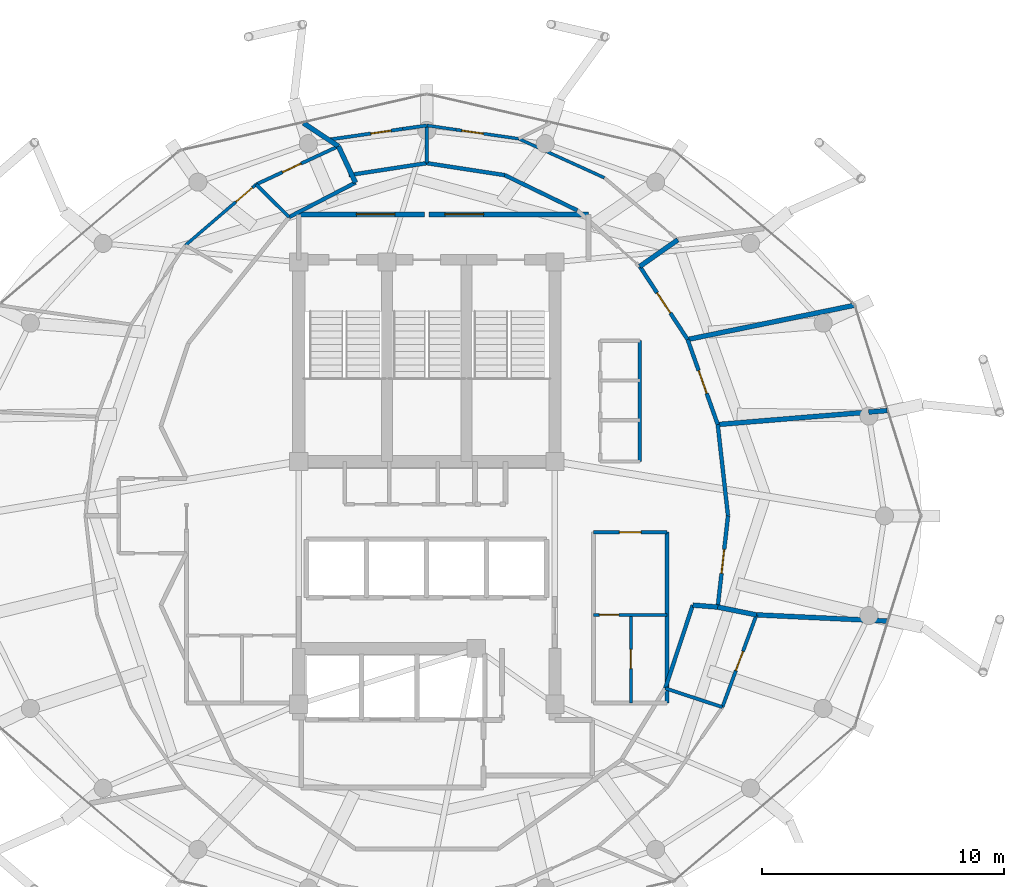
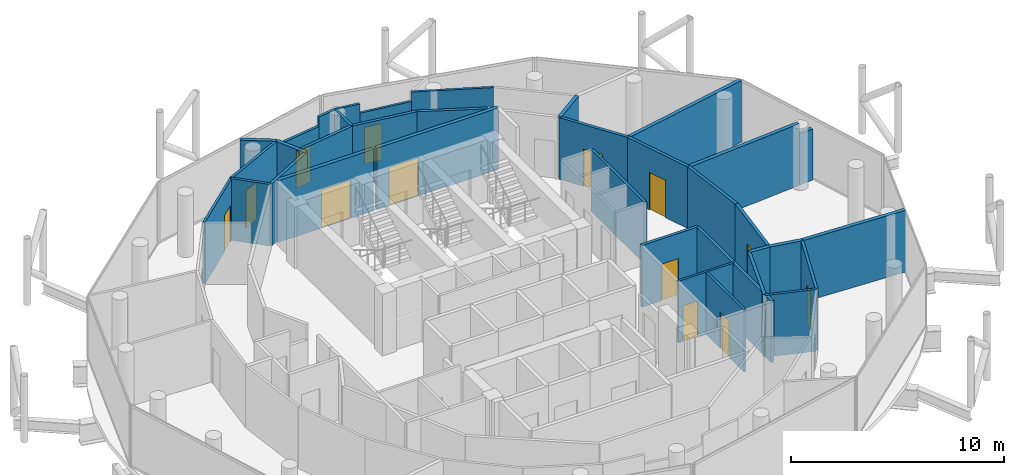
# One storey, part 23 of 25: 36 walls, 13 doors, 13 openings.
"""IFC4 building model written with IfcOpenShell, lengths in metres."""

from ifc_helpers import new_model, si_unit, direction, frame, frame_2d, origin, place, context, subcontext, project, spatial, rectangle, extrude, material, layer, layer_set, type_object, element, fill, save


model = new_model("IFC4")

# Units and contexts
model_context = context("Model", 3, precision=1e-05, world=origin(), true_north=direction((0.0, 1.0)))
body_context = subcontext(model_context, "Body", "Model", "MODEL_VIEW")
ifc_project = project(units=[si_unit("LENGTHUNIT", "METRE"), si_unit("AREAUNIT", "SQUARE_METRE"), si_unit("VOLUMEUNIT", "CUBIC_METRE"), si_unit("PLANEANGLEUNIT", "RADIAN"), si_unit("MASSUNIT", "GRAM", prefix="KILO")], contexts=[model_context])

# Site, building, storey
site_placement = place(None, origin())
site = spatial("IfcSite", under=ifc_project, at=site_placement, CompositionType="ELEMENT")
building_placement = place(site_placement, origin())
building = spatial("IfcBuilding", under=site, at=building_placement, Name="Nuhasar Tower", CompositionType="ELEMENT")
storey_placement = place(building_placement, frame((0.0, 0.0, 255.60009765625)))
storey = spatial("IfcBuildingStorey", under=building, at=storey_placement, Name="L63", CompositionType="ELEMENT", Elevation=255.60009765625)

# Wall
ifc_material_1 = material(Name="Gypsum Board", Category="gypsum")
ifc_layer_1 = layer(ifc_material_1, 0.159912109375)
ifc_layer_set_1 = layer_set([ifc_layer_1], Name="Gypsum Board")
wall_type_1 = type_object("IfcWallType", Name="WL-CORR-160", PredefinedType="PARTITIONING", material=ifc_layer_set_1)
wall_1_placement = place(storey_placement, frame((48.949951171875, 19.050048828125, 0.0), z_axis=(0.0, 0.0, 1.0), x_axis=(0.0, 1.0, 0.0)))
element("IfcWall", 1, at=wall_1_placement, inside=storey, type_object=wall_type_1, Name="L63 Interior Partition RECL-B2-E", PredefinedType="PARTITIONING", context=body_context, shape_type="SweptSolid", body=[
    extrude(rectangle(XDim=7.070068359375, YDim=0.159912109375, at=frame_2d((3.53515625, 0.0))), origin(), (0.0, 0.0, 1.0), 3.539794921875),
])

# Wall, opening, door
wall_2_placement = place(storey_placement, frame((48.949951171875, 26.1201171875, 0.0), z_axis=(0.0, 0.0, 1.0), x_axis=(-1.0, 0.0, 0.0)))
wall_2 = element("IfcWall", 2, at=wall_2_placement, inside=storey, type_object=wall_type_1, Name="L63 Interior Partition RECL-B2-N", PredefinedType="PARTITIONING", context=body_context, shape_type="SweptSolid", body=[
    extrude(rectangle(XDim=3.050048828125, YDim=0.159912109375, at=frame_2d((1.52490234375, 0.0))), origin(), (0.0, 0.0, 1.0), 3.539794921875),
])
opening_1_placement = place(wall_2_placement, frame((1.074951171875, 0.0, 0.0)))
opening_1 = element("IfcOpeningElement", 3, at=opening_1_placement, cuts=wall_2, Name="Opening DR-01", PredefinedType="OPENING", context=body_context, shape_type="SweptSolid", body=[
    extrude(rectangle(XDim=0.89990234375, YDim=2.10009765625, at=frame_2d((0.449951171875, 1.050048828125))), frame((0.0, 0.08984375, 0.0), z_axis=(0.0, -1.0, 0.0), x_axis=(1.0, 0.0, 0.0)), (0.0, 0.0, 1.0), 0.179931640625),
])
ifc_material_2 = material(Name="Timber Oak", Category="wood")
door_type_1 = type_object("IfcDoorType", Name="DR-ROOM-900", OperationType="NOTDEFINED", PredefinedType="DOOR", material=ifc_material_2)
door_1_placement = place(opening_1_placement, origin())
door_1 = element("IfcDoor", 4, at=door_1_placement, inside=storey, type_object=door_type_1, Name="L63 Telemetry Closet Door", OperationType="SINGLE_SWING_LEFT", OverallHeight=2.10009765625, OverallWidth=0.89990234375, PredefinedType="DOOR", context=body_context, shape_type="SweptSolid", body=[
    extrude(rectangle(XDim=0.89990234375, YDim=2.10009765625, at=frame_2d((0.449951171875, 1.050048828125))), frame((0.0, 0.02490234375, 0.0), z_axis=(0.0, -1.0, 0.0), x_axis=(1.0, 0.0, 0.0)), (0.0, 0.0, 1.0), 0.050048828125),
])
fill(opening_1, door_1)

wall_3_placement = place(storey_placement, frame((51.469970703125, 26.800048828125, 0.0), z_axis=(0.0, 0.0, 1.0), x_axis=(-0.111770206893, -0.993734079546, 0.0)))
wall_3 = element("IfcWall", 5, at=wall_3_placement, inside=storey, type_object=wall_type_1, Name="L63 Interior Partition CORR-46", PredefinedType="PARTITIONING", context=body_context, shape_type="SweptSolid", body=[
    extrude(rectangle(XDim=3.802978515625, YDim=0.159912109375, at=frame_2d((1.9013671875, 0.0))), origin(), (0.0, 0.0, 1.0), 3.539794921875),
])
opening_2_placement = place(wall_3_placement, frame((1.40087890625, 0.0, 0.0)))
opening_2 = element("IfcOpeningElement", 6, at=opening_2_placement, cuts=wall_3, Name="Opening DU-02", PredefinedType="OPENING", context=body_context, shape_type="SweptSolid", body=[
    extrude(rectangle(XDim=1.0, YDim=2.14990234375, at=frame_2d((0.5, 1.074951171875))), frame((0.0, 0.08984375, 0.0), z_axis=(0.0, -1.0, 0.0), x_axis=(1.0, 0.0, 0.0)), (0.0, 0.0, 1.0), 0.179931640625),
])
door_type_2 = type_object("IfcDoorType", Name="DR-FLAT-FD60-1000", OperationType="NOTDEFINED", PredefinedType="DOOR", material=ifc_material_2)
door_2_placement = place(opening_2_placement, origin())
door_2 = element("IfcDoor", 7, at=door_2_placement, inside=storey, type_object=door_type_2, Name="L63 Crown Art Gallery Boutique 1 Entrance Door", OperationType="SINGLE_SWING_RIGHT", OverallHeight=2.14990234375, OverallWidth=1.0, PredefinedType="DOOR", context=body_context, shape_type="SweptSolid", body=[
    extrude(rectangle(XDim=1.0, YDim=2.14990234375, at=frame_2d((0.5, 1.074951171875))), frame((0.0, 0.02490234375, 0.0), z_axis=(0.0, -1.0, 0.0), x_axis=(1.0, 0.0, 0.0)), (0.0, 0.0, 1.0), 0.050048828125),
])
fill(opening_2, door_2)

# Wall
wall_4_placement = place(storey_placement, frame((51.469970703125, 26.800048828125, 0.0), z_axis=(0.0, 0.0, 1.0), x_axis=(-0.111770206893, 0.993734079546, 0.0)))
element("IfcWall", 8, at=wall_4_placement, inside=storey, type_object=wall_type_1, Name="L63 Interior Partition CORR-00", PredefinedType="PARTITIONING", context=body_context, shape_type="SweptSolid", body=[
    extrude(rectangle(XDim=3.802978515625, YDim=0.159912109375, at=frame_2d((1.9013671875, 0.0))), origin(), (0.0, 0.0, 1.0), 3.539794921875),
])

# Wall, opening, door
wall_5_placement = place(storey_placement, frame((49.799072265625, 34.10009765625, 0.0), z_axis=(0.0, 0.0, 1.0), x_axis=(0.333568819216, -0.942725751662, 0.0)))
wall_5 = element("IfcWall", 9, at=wall_5_placement, inside=storey, type_object=wall_type_1, Name="L63 Interior Partition CORR-02", PredefinedType="PARTITIONING", context=body_context, shape_type="SweptSolid", body=[
    extrude(rectangle(XDim=3.73486328125, YDim=0.159912109375, at=frame_2d((1.867431640625, 0.0))), origin(), (0.0, 0.0, 1.0), 3.539794921875),
])
opening_3_placement = place(wall_5_placement, frame((1.366943359375, 0.0, 0.0)))
opening_3 = element("IfcOpeningElement", 10, at=opening_3_placement, cuts=wall_5, Name="Opening DU-02", PredefinedType="OPENING", context=body_context, shape_type="SweptSolid", body=[
    extrude(rectangle(XDim=1.0, YDim=2.14990234375, at=frame_2d((0.5, 1.074951171875))), frame((0.0, 0.08984375, 0.0), z_axis=(0.0, -1.0, 0.0), x_axis=(1.0, 0.0, 0.0)), (0.0, 0.0, 1.0), 0.179931640625),
])
door_3_placement = place(opening_3_placement, origin())
door_3 = element("IfcDoor", 11, at=door_3_placement, inside=storey, type_object=door_type_2, Name="L63 Collector Wine Vault Store Entrance Door", OperationType="SINGLE_SWING_RIGHT", OverallHeight=2.14990234375, OverallWidth=1.0, PredefinedType="DOOR", context=body_context, shape_type="SweptSolid", body=[
    extrude(rectangle(XDim=1.0, YDim=2.14990234375, at=frame_2d((0.5, 1.074951171875))), frame((0.0, 0.02490234375, 0.0), z_axis=(0.0, -1.0, 0.0), x_axis=(1.0, 0.0, 0.0)), (0.0, 0.0, 1.0), 0.050048828125),
])
fill(opening_3, door_3)

wall_6_placement = place(storey_placement, frame((47.818115234375, 37.1240234375, 0.0), z_axis=(0.0, 0.0, 1.0), x_axis=(0.547980633713, -0.836491019124, 0.0)))
wall_6 = element("IfcWall", 12, at=wall_6_placement, inside=storey, type_object=wall_type_1, Name="L63 Interior Partition CORR-04", PredefinedType="PARTITIONING", context=body_context, shape_type="SweptSolid", body=[
    extrude(rectangle(XDim=3.614990234375, YDim=0.159912109375, at=frame_2d((1.8076171875, 0.0))), origin(), (0.0, 0.0, 1.0), 3.539794921875),
])
opening_4_placement = place(wall_6_placement, frame((1.30810546875, 0.0, 0.0)))
opening_4 = element("IfcOpeningElement", 13, at=opening_4_placement, cuts=wall_6, Name="Opening DU-02", PredefinedType="OPENING", context=body_context, shape_type="SweptSolid", body=[
    extrude(rectangle(XDim=1.0, YDim=2.14990234375, at=frame_2d((0.5, 1.074951171875))), frame((0.0, 0.08984375, 0.0), z_axis=(0.0, -1.0, 0.0), x_axis=(1.0, 0.0, 0.0)), (0.0, 0.0, 1.0), 0.179931640625),
])
door_4_placement = place(opening_4_placement, origin())
door_4 = element("IfcDoor", 14, at=door_4_placement, inside=storey, type_object=door_type_2, Name="L63 Crown Sculpture Showroom 2 Entrance Door", OperationType="SINGLE_SWING_LEFT", OverallHeight=2.14990234375, OverallWidth=1.0, PredefinedType="DOOR", context=body_context, shape_type="SweptSolid", body=[
    extrude(rectangle(XDim=1.0, YDim=2.14990234375, at=frame_2d((0.5, 1.074951171875))), frame((0.0, 0.02490234375, 0.0), z_axis=(0.0, -1.0, 0.0), x_axis=(1.0, 0.0, 0.0)), (0.0, 0.0, 1.0), 0.050048828125),
])
fill(opening_4, door_4)

# Walls
wall_7_placement = place(storey_placement, frame((45.235107421875, 39.444091796875, 0.0), z_axis=(0.0, 0.0, 1.0), x_axis=(-0.899751550897, 0.436402505329, 0.0)))
element("IfcWall", 15, at=wall_7_placement, inside=storey, type_object=wall_type_1, Name="L63 Interior Partition CORR-08", PredefinedType="PARTITIONING", context=body_context, shape_type="SweptSolid", body=[
    extrude(rectangle(XDim=3.34326171875, YDim=0.159912109375, at=frame_2d((1.671630859375, 0.0))), origin(), (0.0, 0.0, 1.0), 3.539794921875),
])
for number, where, z_axis, x_axis, name in (
    (16, (42.22705078125, 40.903076171875, 0.0), (0.0, 0.0, 1.0), (-0.988355267662, 0.152163940815, 0.0), "L63 Interior Partition CORR-10"),
    (17, (39.0, 41.39990234375, 0.0), (0.0, 0.0, 1.0), (-0.988355267662, -0.152163940815, 0.0), "L63 Interior Partition CORR-12"),
):
    element("IfcWall", number, at=place(storey_placement, frame(where, z_axis=z_axis, x_axis=x_axis)), inside=storey, type_object=wall_type_1, Name=name, PredefinedType="PARTITIONING", context=body_context, shape_type="SweptSolid", body=[
        extrude(rectangle(XDim=3.26513671875, YDim=0.159912109375, at=frame_2d((1.632568359375, 0.0))), origin(), (0.0, 0.0, 1.0), 3.539794921875),
    ])
wall_8_placement = place(storey_placement, frame((36.049072265625, 40.593017578125, 0.0), z_axis=(0.0, 0.0, 1.0), x_axis=(-0.887674575788, -0.460471331898, 0.0)))
element("IfcWall", 18, at=wall_8_placement, inside=storey, type_object=wall_type_1, Name="L63 Interior Partition UWEST-CORE-N1-14", PredefinedType="PARTITIONING", context=body_context, shape_type="SweptSolid", body=[
    extrude(rectangle(XDim=3.096923828125, YDim=0.159912109375, at=frame_2d((1.54833984375, 0.0))), origin(), (0.0, 0.0, 1.0), 3.539794921875),
])
wall_9_placement = place(storey_placement, frame((48.873046875, 19.659912109375, 0.0), z_axis=(0.0, 0.0, 1.0), x_axis=(0.313965508334, 0.949434389295, 0.0)))
element("IfcWall", 19, at=wall_9_placement, inside=storey, type_object=wall_type_1, Name="L63 Interior Partition UWEST-CORE-S2-44", PredefinedType="PARTITIONING", context=body_context, shape_type="SweptSolid", body=[
    extrude(rectangle(XDim=3.62744140625, YDim=0.159912109375, at=frame_2d((1.813720703125, 0.0))), origin(), (0.0, 0.0, 1.0), 3.539794921875),
])

# Wall, opening, door
ifc_material_3 = material(Name="Concrete C45/55", Category="concrete")
ifc_layer_2 = layer(ifc_material_3, 0.199951171875)
ifc_layer_set_2 = layer_set([ifc_layer_2], Name="Concrete C45/55")
wall_type_2 = type_object("IfcWallType", Name="WL-LOBBY-200", PredefinedType="SOLIDWALL", material=ifc_layer_set_2)
wall_10_placement = place(storey_placement, frame((38.89990234375, 39.280029296875, 0.0), z_axis=(0.0, 0.0, 1.0), x_axis=(-1.0, 0.0, 0.0)))
wall_10 = element("IfcWall", 20, at=wall_10_placement, inside=storey, type_object=wall_type_2, Name="L63 Interior Partition NSL-N1", PredefinedType="SOLIDWALL", context=body_context, shape_type="SweptSolid", body=[
    extrude(rectangle(XDim=5.199951171875, YDim=0.199951171875, at=frame_2d((2.60009765625, 0.0))), origin(), (0.0, 0.0, 1.0), 3.539794921875),
])
opening_5_placement = place(wall_10_placement, frame((1.216064453125, 0.0, 0.0)))
opening_5 = element("IfcOpeningElement", 21, at=opening_5_placement, cuts=wall_10, Name="Opening DC-01", PredefinedType="OPENING", context=body_context, shape_type="SweptSolid", body=[
    extrude(rectangle(XDim=1.60009765625, YDim=2.199951171875, at=frame_2d((0.800048828125, 1.10009765625))), frame((0.0, 0.10986328125, 0.0), z_axis=(0.0, -1.0, 0.0), x_axis=(1.0, 0.0, 0.0)), (0.0, 0.0, 1.0), 0.219970703125),
])
ifc_material_4 = material(Name="Steel S355", Category="steel")
door_type_3 = type_object("IfcDoorType", Name="DR-CORR-FD60-1600", OperationType="DOUBLE_DOOR_SINGLE_SWING", PredefinedType="DOOR", material=ifc_material_4)
door_5_placement = place(opening_5_placement, origin())
door_5 = element("IfcDoor", 22, at=door_5_placement, inside=storey, type_object=door_type_3, Name="L63 North Stair Lobby West Door", OperationType="DOUBLE_DOOR_SINGLE_SWING", OverallHeight=2.199951171875, OverallWidth=1.60009765625, PredefinedType="DOOR", context=body_context, shape_type="SweptSolid", body=[
    extrude(rectangle(XDim=1.60009765625, YDim=2.199951171875, at=frame_2d((0.800048828125, 1.10009765625))), frame((0.0, 0.02490234375, 0.0), z_axis=(0.0, -1.0, 0.0), x_axis=(1.0, 0.0, 0.0)), (0.0, 0.0, 1.0), 0.050048828125),
])
fill(opening_5, door_5)

wall_11_placement = place(storey_placement, frame((45.699951171875, 39.280029296875, 0.0), z_axis=(0.0, 0.0, 1.0), x_axis=(-1.0, 0.0, 0.0)))
wall_11 = element("IfcWall", 23, at=wall_11_placement, inside=storey, type_object=wall_type_2, Name="L63 Interior Partition NSL-N2", PredefinedType="SOLIDWALL", context=body_context, shape_type="SweptSolid", body=[
    extrude(rectangle(XDim=6.599853515625, YDim=0.199951171875, at=frame_2d((3.2998046875, 0.0))), origin(), (0.0, 0.0, 1.0), 3.539794921875),
])
opening_6_placement = place(wall_11_placement, frame((4.35009765625, 0.0, 0.0)))
opening_6 = element("IfcOpeningElement", 24, at=opening_6_placement, cuts=wall_11, Name="Opening DC-01", PredefinedType="OPENING", context=body_context, shape_type="SweptSolid", body=[
    extrude(rectangle(XDim=1.60009765625, YDim=2.199951171875, at=frame_2d((0.800048828125, 1.10009765625))), frame((0.0, 0.10986328125, 0.0), z_axis=(0.0, -1.0, 0.0), x_axis=(1.0, 0.0, 0.0)), (0.0, 0.0, 1.0), 0.219970703125),
])
door_6_placement = place(opening_6_placement, origin())
door_6 = element("IfcDoor", 25, at=door_6_placement, inside=storey, type_object=door_type_3, Name="L63 North Stair Lobby East Door", OperationType="DOUBLE_DOOR_SINGLE_SWING", OverallHeight=2.199951171875, OverallWidth=1.60009765625, PredefinedType="DOOR", context=body_context, shape_type="SweptSolid", body=[
    extrude(rectangle(XDim=1.60009765625, YDim=2.199951171875, at=frame_2d((0.800048828125, 1.10009765625))), frame((0.0, 0.02490234375, 0.0), z_axis=(0.0, -1.0, 0.0), x_axis=(1.0, 0.0, 0.0)), (0.0, 0.0, 1.0), 0.050048828125),
])
fill(opening_6, door_6)

ifc_layer_3 = layer(ifc_material_1, 0.125)
ifc_layer_set_3 = layer_set([ifc_layer_3], Name="Gypsum Board")
wall_type_3 = type_object("IfcWallType", Name="WL-PART-125", PredefinedType="PARTITIONING", material=ifc_layer_set_3)
wall_12_placement = place(storey_placement, frame((47.449951171875, 22.699951171875, 0.0), z_axis=(0.0, 0.0, 1.0), x_axis=(0.0, -1.0, 0.0)))
wall_12 = element("IfcWall", 26, at=wall_12_placement, inside=storey, type_object=wall_type_3, Name="L63 Interior Partition RECL-B2-V", PredefinedType="PARTITIONING", context=body_context, shape_type="SweptSolid", body=[
    extrude(rectangle(XDim=3.64990234375, YDim=0.125, at=frame_2d((1.824951171875, 0.0))), origin(), (0.0, 0.0, 1.0), 3.539794921875),
])
opening_7_placement = place(wall_12_placement, frame((1.425048828125, 0.0, 0.0)))
opening_7 = element("IfcOpeningElement", 27, at=opening_7_placement, cuts=wall_12, Name="Opening DM-01", PredefinedType="OPENING", context=body_context, shape_type="SweptSolid", body=[
    extrude(rectangle(XDim=0.800048828125, YDim=2.050048828125, at=frame_2d((0.39990234375, 1.02490234375))), frame((0.0, 0.072509765625, 0.0), z_axis=(0.0, -1.0, 0.0), x_axis=(1.0, 0.0, 0.0)), (0.0, 0.0, 1.0), 0.14501953125),
])
door_type_4 = type_object("IfcDoorType", Name="DR-RISER-FD60-800", OperationType="NOTDEFINED", PredefinedType="DOOR", material=ifc_material_4)
door_7_placement = place(opening_7_placement, origin())
door_7 = element("IfcDoor", 28, at=door_7_placement, inside=storey, type_object=door_type_4, Name="L63 Archive Closet Door", OperationType="SINGLE_SWING_LEFT", OverallHeight=2.050048828125, OverallWidth=0.800048828125, PredefinedType="DOOR", context=body_context, shape_type="SweptSolid", body=[
    extrude(rectangle(XDim=0.800048828125, YDim=2.050048828125, at=frame_2d((0.39990234375, 1.02490234375))), frame((0.0, 0.02490234375, 0.0), z_axis=(0.0, -1.0, 0.0), x_axis=(1.0, 0.0, 0.0)), (0.0, 0.0, 1.0), 0.050048828125),
])
fill(opening_7, door_7)

wall_13_placement = place(storey_placement, frame((48.949951171875, 22.699951171875, 0.0), z_axis=(0.0, 0.0, 1.0), x_axis=(-1.0, 0.0, 0.0)))
wall_13 = element("IfcWall", 29, at=wall_13_placement, inside=storey, type_object=wall_type_3, Name="L63 Interior Partition RECL-B2-M", PredefinedType="PARTITIONING", context=body_context, shape_type="SweptSolid", body=[
    extrude(rectangle(XDim=3.050048828125, YDim=0.125, at=frame_2d((1.52490234375, 0.0))), origin(), (0.0, 0.0, 1.0), 3.539794921875),
])
opening_8_placement = place(wall_13_placement, frame((2.0, 0.0, 0.0)))
opening_8 = element("IfcOpeningElement", 30, at=opening_8_placement, cuts=wall_13, Name="Opening DM-01", PredefinedType="OPENING", context=body_context, shape_type="SweptSolid", body=[
    extrude(rectangle(XDim=0.800048828125, YDim=2.050048828125, at=frame_2d((0.39990234375, 1.02490234375))), frame((0.0, 0.072509765625, 0.0), z_axis=(0.0, -1.0, 0.0), x_axis=(1.0, 0.0, 0.0)), (0.0, 0.0, 1.0), 0.14501953125),
])
door_8_placement = place(opening_8_placement, origin())
door_8 = element("IfcDoor", 31, at=door_8_placement, inside=storey, type_object=door_type_4, Name="L63 Trunk Store Door", OperationType="SINGLE_SWING_RIGHT", OverallHeight=2.050048828125, OverallWidth=0.800048828125, PredefinedType="DOOR", context=body_context, shape_type="SweptSolid", body=[
    extrude(rectangle(XDim=0.800048828125, YDim=2.050048828125, at=frame_2d((0.39990234375, 1.02490234375))), frame((0.0, 0.02490234375, 0.0), z_axis=(0.0, -1.0, 0.0), x_axis=(1.0, 0.0, 0.0)), (0.0, 0.0, 1.0), 0.050048828125),
])
fill(opening_8, door_8)

# Walls
wall_14_placement = place(storey_placement, frame((46.35009765625, 40.794921875, 0.0), z_axis=(0.0, 0.0, 1.0), x_axis=(-0.910117326054, 0.414350639938, 0.0)))
element("IfcWall", 32, at=wall_14_placement, inside=storey, type_object=wall_type_3, Name="L63 Interior Partition UMID-04-A-08", PredefinedType="PARTITIONING", context=body_context, shape_type="SweptSolid", body=[
    extrude(rectangle(XDim=3.895263671875, YDim=0.125, at=frame_2d((1.94775390625, 0.0))), origin(), (0.0, 0.0, 1.0), 3.539794921875),
])
wall_15_placement = place(storey_placement, frame((39.0, 42.9599609375, 0.0), z_axis=(0.0, 0.0, 1.0), x_axis=(0.989701809114, -0.143144434177, 0.0)))
element("IfcWall", 33, at=wall_15_placement, inside=storey, type_object=wall_type_3, Name="L63 Interior Partition UMID-04-A-10", PredefinedType="PARTITIONING", context=body_context, shape_type="SweptSolid", body=[
    extrude(rectangle(XDim=1.229736328125, YDim=0.125, at=frame_2d((0.61474609375, 0.0))), origin(), (0.0, 0.0, 1.0), 3.539794921875),
])

# Wall, opening, door
wall_16_placement = place(storey_placement, frame((40.217041015625, 42.783935546875, 0.0), z_axis=(0.0, 0.0, 1.0), x_axis=(0.989663671869, -0.143407867924, 0.0)))
wall_16 = element("IfcWall", 34, at=wall_16_placement, inside=storey, type_object=wall_type_3, Name="L63 Interior Partition UMID-04-A-10", PredefinedType="PARTITIONING", context=body_context, shape_type="SweptSolid", body=[
    extrude(rectangle(XDim=2.614990234375, YDim=0.125, at=frame_2d((1.3076171875, 0.0))), origin(), (0.0, 0.0, 1.0), 3.0),
])
opening_9_placement = place(wall_16_placement, frame((0.241943359375, 0.0, 0.0)))
opening_9 = element("IfcOpeningElement", 35, at=opening_9_placement, cuts=wall_16, Name="Opening DR-01", PredefinedType="OPENING", context=body_context, shape_type="SweptSolid", body=[
    extrude(rectangle(XDim=0.89990234375, YDim=2.10009765625, at=frame_2d((0.449951171875, 1.050048828125))), frame((0.0, 0.072509765625, 0.0), z_axis=(0.0, -1.0, 0.0), x_axis=(1.0, 0.0, 0.0)), (0.0, 0.0, 1.0), 0.14501953125),
])
door_9_placement = place(opening_9_placement, origin())
door_9 = element("IfcDoor", 36, at=door_9_placement, inside=storey, type_object=door_type_1, Name="L63 U04 Bedroom Door", OperationType="SINGLE_SWING_LEFT", OverallHeight=2.10009765625, OverallWidth=0.89990234375, PredefinedType="DOOR", context=body_context, shape_type="SweptSolid", body=[
    extrude(rectangle(XDim=0.89990234375, YDim=2.10009765625, at=frame_2d((0.449951171875, 1.050048828125))), frame((0.0, 0.02490234375, 0.0), z_axis=(0.0, -1.0, 0.0), x_axis=(1.0, 0.0, 0.0)), (0.0, 0.0, 1.0), 0.050048828125),
])
fill(opening_9, door_9)

wall_17_placement = place(storey_placement, frame((29.009033203125, 38.0009765625, 0.0), z_axis=(0.0, 0.0, 1.0), x_axis=(0.758094504626, 0.652144709444, 0.0)))
wall_17 = element("IfcWall", 37, at=wall_17_placement, inside=storey, type_object=wall_type_3, Name="L63 Interior Partition USM-1-K-16", PredefinedType="PARTITIONING", context=body_context, shape_type="SweptSolid", body=[
    extrude(rectangle(XDim=3.859619140625, YDim=0.125, at=frame_2d((1.9296875, 0.0))), origin(), (0.0, 0.0, 1.0), 3.539794921875),
])
opening_10_placement = place(wall_17_placement, frame((2.760009765625, 0.0, 0.0)))
opening_10 = element("IfcOpeningElement", 38, at=opening_10_placement, cuts=wall_17, Name="Opening DR-01", PredefinedType="OPENING", context=body_context, shape_type="SweptSolid", body=[
    extrude(rectangle(XDim=0.89990234375, YDim=2.10009765625, at=frame_2d((0.449951171875, 1.050048828125))), frame((0.0, 0.072509765625, 0.0), z_axis=(0.0, -1.0, 0.0), x_axis=(1.0, 0.0, 0.0)), (0.0, 0.0, 1.0), 0.14501953125),
])
door_10_placement = place(opening_10_placement, origin())
door_10 = element("IfcDoor", 39, at=door_10_placement, inside=storey, type_object=door_type_1, Name="L63 North-West Sky Home Kitchen Door", OperationType="SINGLE_SWING_RIGHT", OverallHeight=2.10009765625, OverallWidth=0.89990234375, PredefinedType="DOOR", context=body_context, shape_type="SweptSolid", body=[
    extrude(rectangle(XDim=0.89990234375, YDim=2.10009765625, at=frame_2d((0.449951171875, 1.050048828125))), frame((0.0, 0.02490234375, 0.0), z_axis=(0.0, -1.0, 0.0), x_axis=(1.0, 0.0, 0.0)), (0.0, 0.0, 1.0), 0.050048828125),
])
fill(opening_10, door_10)

# Walls
ifc_material_5 = material(Name="Concrete C40/50 precast", Category="concrete")
ifc_layer_4 = layer(ifc_material_5, 0.199951171875)
ifc_layer_set_4 = layer_set([ifc_layer_4], Name="Concrete C40/50 precast")
wall_type_4 = type_object("IfcWallType", Name="WL-UNIT-200", PredefinedType="PARTITIONING", material=ifc_layer_set_4)
wall_18_placement = place(storey_placement, frame((36.049072265625, 40.593017578125, 0.0), z_axis=(0.0, 0.0, 1.0), x_axis=(-0.424242188274, 0.905548764942, 0.0)))
element("IfcWall", 40, at=wall_18_placement, inside=storey, type_object=wall_type_4, Name="L63 Interior Partition URAD-14-NW-S1", PredefinedType="PARTITIONING", context=body_context, shape_type="SweptSolid", body=[
    extrude(rectangle(XDim=1.664306640625, YDim=0.199951171875, at=frame_2d((0.83203125, 0.0))), origin(), (0.0, 0.0, 1.0), 3.539794921875),
])
wall_19_placement = place(storey_placement, frame((35.343017578125, 42.10009765625, 0.0), z_axis=(0.0, 0.0, 1.0), x_axis=(-0.834163281992, 0.551517559989, 0.0)))
element("IfcWall", 41, at=wall_19_placement, inside=storey, type_object=wall_type_4, Name="L63 Interior Partition URAD-14-NW-S2", PredefinedType="PARTITIONING", context=body_context, shape_type="SweptSolid", body=[
    extrude(rectangle(XDim=1.737060546875, YDim=0.199951171875, at=frame_2d((0.86865234375, 0.0))), origin(), (0.0, 0.0, 1.0), 3.539794921875),
])
wall_20_placement = place(storey_placement, frame((50.011962890625, 23.10400390625, 0.0), z_axis=(0.0, 0.0, 1.0), x_axis=(0.996786749309, -0.080101038706, 0.0)))
element("IfcWall", 42, at=wall_20_placement, inside=storey, type_object=wall_type_4, Name="L63 Interior Partition URAD-46-SW-S1", PredefinedType="PARTITIONING", context=body_context, shape_type="SweptSolid", body=[
    extrude(rectangle(XDim=1.036376953125, YDim=0.199951171875, at=frame_2d((0.51806640625, 0.0))), origin(), (0.0, 0.0, 1.0), 3.539794921875),
])
wall_21_placement = place(storey_placement, frame((51.044921875, 23.02099609375, 0.0), z_axis=(0.0, 0.0, 1.0), x_axis=(0.980551963868, -0.196259639648, 0.0)))
element("IfcWall", 43, at=wall_21_placement, inside=storey, type_object=wall_type_4, Name="L63 Interior Partition URAD-46-SW-S2", PredefinedType="PARTITIONING", context=body_context, shape_type="SweptSolid", body=[
    extrude(rectangle(XDim=1.6357421875, YDim=0.199951171875, at=frame_2d((0.81787109375, 0.0))), origin(), (0.0, 0.0, 1.0), 3.539794921875),
])
wall_22_placement = place(storey_placement, frame((52.64892578125, 22.699951171875, 0.0), z_axis=(0.0, 0.0, 1.0), x_axis=(0.998882680054, -0.047258771554, 0.0)))
element("IfcWall", 44, at=wall_22_placement, inside=storey, type_object=wall_type_4, Name="L63 Interior Partition URAD-46-SW-S3", PredefinedType="PARTITIONING", context=body_context, shape_type="SweptSolid", body=[
    extrude(rectangle(XDim=5.4140625, YDim=0.199951171875, at=frame_2d((2.70703125, 0.0))), origin(), (0.0, 0.0, 1.0), 3.539794921875),
])
wall_23_placement = place(storey_placement, frame((51.044921875, 30.5791015625, 0.0), z_axis=(0.0, 0.0, 1.0), x_axis=(0.996622662383, 0.082117408774, 0.0)))
element("IfcWall", 45, at=wall_23_placement, inside=storey, type_object=wall_type_4, Name="L63 Interior Partition URAD-02", PredefinedType="PARTITIONING", context=body_context, shape_type="SweptSolid", body=[
    extrude(rectangle(XDim=6.270263671875, YDim=0.199951171875, at=frame_2d((3.13525390625, 0.0))), origin(), (0.0, 0.0, 1.0), 3.539794921875),
])
wall_24_placement = place(storey_placement, frame((57.2939453125, 31.093994140625, 0.0), z_axis=(0.0, 0.0, 1.0), x_axis=(0.996609247306, 0.082280059458, 0.0)))
element("IfcWall", 46, at=wall_24_placement, inside=storey, type_object=wall_type_4, Name="L63 Interior Partition URAD-02", PredefinedType="PARTITIONING", context=body_context, shape_type="SweptSolid", body=[
    extrude(rectangle(XDim=0.765625, YDim=0.199951171875, at=frame_2d((0.3828125, 0.0))), origin(), (0.0, 0.0, 1.0), 2.9248046875),
])
wall_25_placement = place(storey_placement, frame((49.799072265625, 34.10009765625, 0.0), z_axis=(0.0, 0.0, 1.0), x_axis=(0.97961583885, 0.200880084314, 0.0)))
element("IfcWall", 47, at=wall_25_placement, inside=storey, type_object=wall_type_4, Name="L63 Interior Partition URAD-04", PredefinedType="PARTITIONING", context=body_context, shape_type="SweptSolid", body=[
    extrude(rectangle(XDim=7.033203125, YDim=0.199951171875, at=frame_2d((3.5166015625, 0.0))), origin(), (0.0, 0.0, 1.0), 3.539794921875),
])
wall_26_placement = place(storey_placement, frame((47.818115234375, 37.1240234375, 0.0), z_axis=(0.0, 0.0, 1.0), x_axis=(0.819261732585, 0.573419753341, 0.0)))
element("IfcWall", 48, at=wall_26_placement, inside=storey, type_object=wall_type_4, Name="L63 Interior Partition URAD-06-S1", PredefinedType="PARTITIONING", context=body_context, shape_type="SweptSolid", body=[
    extrude(rectangle(XDim=1.923583984375, YDim=0.199951171875, at=frame_2d((0.9619140625, 0.0))), origin(), (0.0, 0.0, 1.0), 3.539794921875),
])
ifc_layer_5 = layer(ifc_material_5, 0.139892578125)
ifc_layer_set_5 = layer_set([ifc_layer_5], Name="Concrete C40/50 precast")
wall_type_5 = type_object("IfcWallType", Name="WL-WET-140", PredefinedType="PARTITIONING", material=ifc_layer_set_5)
wall_27_placement = place(storey_placement, frame((47.820068359375, 29.050048828125, 0.0), z_axis=(0.0, 0.0, 1.0), x_axis=(0.0, 1.0, 0.0)))
element("IfcWall", 49, at=wall_27_placement, inside=storey, type_object=wall_type_5, Name="L63 Interior Partition K1-NE-E", PredefinedType="PARTITIONING", context=body_context, shape_type="SweptSolid", body=[
    extrude(rectangle(XDim=5.0, YDim=0.139892578125, at=frame_2d((2.5, 0.0))), origin(), (0.0, 0.0, 1.0), 3.539794921875),
])

# Wall, opening, door
wall_28_placement = place(storey_placement, frame((34.93310546875, 42.37109375, 0.0), z_axis=(0.0, 0.0, 1.0), x_axis=(0.98967063222, 0.143359826038, 0.0)))
wall_28 = element("IfcWall", 50, at=wall_28_placement, inside=storey, type_object=wall_type_5, Name="L63 Interior Partition UMID-04-B-12", PredefinedType="PARTITIONING", context=body_context, shape_type="SweptSolid", body=[
    extrude(rectangle(XDim=3.102783203125, YDim=0.139892578125, at=frame_2d((1.55126953125, 0.0))), origin(), (0.0, 0.0, 1.0), 3.0),
])
opening_11_placement = place(wall_28_placement, frame((1.761962890625, 0.0, 0.0)))
opening_11 = element("IfcOpeningElement", 51, at=opening_11_placement, cuts=wall_28, Name="Opening DB-01", PredefinedType="OPENING", context=body_context, shape_type="SweptSolid", body=[
    extrude(rectangle(XDim=0.85009765625, YDim=2.10009765625, at=frame_2d((0.425048828125, 1.050048828125))), frame((0.0, 0.080078125, 0.0), z_axis=(0.0, -1.0, 0.0), x_axis=(1.0, 0.0, 0.0)), (0.0, 0.0, 1.0), 0.159912109375),
])
door_type_5 = type_object("IfcDoorType", Name="DR-BATH-850", OperationType="NOTDEFINED", PredefinedType="DOOR", material=ifc_material_2)
door_11_placement = place(opening_11_placement, origin())
door_11 = element("IfcDoor", 52, at=door_11_placement, inside=storey, type_object=door_type_5, Name="L63 U04 Bathroom Door", OperationType="SINGLE_SWING_RIGHT", OverallHeight=2.10009765625, OverallWidth=0.85009765625, PredefinedType="DOOR", context=body_context, shape_type="SweptSolid", body=[
    extrude(rectangle(XDim=0.85009765625, YDim=2.10009765625, at=frame_2d((0.425048828125, 1.050048828125))), frame((0.0, 0.02490234375, 0.0), z_axis=(0.0, -1.0, 0.0), x_axis=(1.0, 0.0, 0.0)), (0.0, 0.0, 1.0), 0.050048828125),
])
fill(opening_11, door_11)

# Walls
wall_29_placement = place(storey_placement, frame((38.00390625, 42.81591796875, 0.0), z_axis=(0.0, 0.0, 1.0), x_axis=(0.989705462513, 0.143119172275, 0.0)))
element("IfcWall", 53, at=wall_29_placement, inside=storey, type_object=wall_type_5, Name="L63 Interior Partition UMID-04-B-12", PredefinedType="PARTITIONING", context=body_context, shape_type="SweptSolid", body=[
    extrude(rectangle(XDim=1.00634765625, YDim=0.139892578125, at=frame_2d((0.503173828125, 0.0))), origin(), (0.0, 0.0, 1.0), 3.539794921875),
])
wall_30_placement = place(storey_placement, frame((39.0, 41.39990234375, 0.0), z_axis=(0.0, 0.0, 1.0), x_axis=(0.0, 1.0, 0.0)))
element("IfcWall", 54, at=wall_30_placement, inside=storey, type_object=wall_type_5, Name="L63 Interior Partition UIN-04-K", PredefinedType="PARTITIONING", context=body_context, shape_type="SweptSolid", body=[
    extrude(rectangle(XDim=1.56005859375, YDim=0.139892578125, at=frame_2d((0.780029296875, 0.0))), origin(), (0.0, 0.0, 1.0), 3.539794921875),
])
wall_31_placement = place(storey_placement, frame((33.300048828125, 39.1669921875, 0.0), z_axis=(0.0, 0.0, 1.0), x_axis=(-0.710720381731, 0.703474618584, 0.0)))
element("IfcWall", 55, at=wall_31_placement, inside=storey, type_object=wall_type_5, Name="L63 Interior Partition USI-1-BK", PredefinedType="PARTITIONING", context=body_context, shape_type="SweptSolid", body=[
    extrude(rectangle(XDim=1.920654296875, YDim=0.139892578125, at=frame_2d((0.96044921875, 0.0))), origin(), (0.0, 0.0, 1.0), 3.539794921875),
])

# Wall, opening, door
wall_32_placement = place(storey_placement, frame((31.93505859375, 40.51806640625, 0.0), z_axis=(0.0, 0.0, 1.0), x_axis=(0.907032898502, 0.421059759459, 0.0)))
wall_32 = element("IfcWall", 56, at=wall_32_placement, inside=storey, type_object=wall_type_5, Name="L63 Interior Partition USM-1-B-14", PredefinedType="PARTITIONING", context=body_context, shape_type="SweptSolid", body=[
    extrude(rectangle(XDim=3.75732421875, YDim=0.139892578125, at=frame_2d((1.878662109375, 0.0))), origin(), (0.0, 0.0, 1.0), 3.539794921875),
])
opening_12_placement = place(wall_32_placement, frame((1.202880859375, 0.0, 0.0)))
opening_12 = element("IfcOpeningElement", 57, at=opening_12_placement, cuts=wall_32, Name="Opening DB-01", PredefinedType="OPENING", context=body_context, shape_type="SweptSolid", body=[
    extrude(rectangle(XDim=0.85009765625, YDim=2.10009765625, at=frame_2d((0.425048828125, 1.050048828125))), frame((0.0, 0.080078125, 0.0), z_axis=(0.0, -1.0, 0.0), x_axis=(1.0, 0.0, 0.0)), (0.0, 0.0, 1.0), 0.159912109375),
])
door_12_placement = place(opening_12_placement, origin())
door_12 = element("IfcDoor", 58, at=door_12_placement, inside=storey, type_object=door_type_5, Name="L63 North-West Sky Home En-Suite Door", OperationType="SINGLE_SWING_LEFT", OverallHeight=2.10009765625, OverallWidth=0.85009765625, PredefinedType="DOOR", context=body_context, shape_type="SweptSolid", body=[
    extrude(rectangle(XDim=0.85009765625, YDim=2.10009765625, at=frame_2d((0.425048828125, 1.050048828125))), frame((0.0, 0.02490234375, 0.0), z_axis=(0.0, -1.0, 0.0), x_axis=(1.0, 0.0, 0.0)), (0.0, 0.0, 1.0), 0.050048828125),
])
fill(opening_12, door_12)

wall_33_placement = place(storey_placement, frame((52.64892578125, 22.699951171875, 0.0), z_axis=(0.0, 0.0, 1.0), x_axis=(-0.346671925992, -0.937986447519, 0.0)))
wall_33 = element("IfcWall", 59, at=wall_33_placement, inside=storey, type_object=wall_type_5, Name="L63 Interior Partition USM-2-B-44", PredefinedType="PARTITIONING", context=body_context, shape_type="SweptSolid", body=[
    extrude(rectangle(XDim=4.072509765625, YDim=0.139892578125, at=frame_2d((2.0361328125, 0.0))), origin(), (0.0, 0.0, 1.0), 3.539794921875),
])
opening_13_placement = place(wall_33_placement, frame((1.611083984375, 0.0, 0.0)))
opening_13 = element("IfcOpeningElement", 60, at=opening_13_placement, cuts=wall_33, Name="Opening DB-01", PredefinedType="OPENING", context=body_context, shape_type="SweptSolid", body=[
    extrude(rectangle(XDim=0.85009765625, YDim=2.10009765625, at=frame_2d((0.425048828125, 1.050048828125))), frame((0.0, 0.080078125, 0.0), z_axis=(0.0, -1.0, 0.0), x_axis=(1.0, 0.0, 0.0)), (0.0, 0.0, 1.0), 0.159912109375),
])
door_13_placement = place(opening_13_placement, origin())
door_13 = element("IfcDoor", 61, at=door_13_placement, inside=storey, type_object=door_type_5, Name="L63 South-West Sky Home En-Suite Door", OperationType="SINGLE_SWING_RIGHT", OverallHeight=2.10009765625, OverallWidth=0.85009765625, PredefinedType="DOOR", context=body_context, shape_type="SweptSolid", body=[
    extrude(rectangle(XDim=0.85009765625, YDim=2.10009765625, at=frame_2d((0.425048828125, 1.050048828125))), frame((0.0, 0.02490234375, 0.0), z_axis=(0.0, -1.0, 0.0), x_axis=(1.0, 0.0, 0.0)), (0.0, 0.0, 1.0), 0.050048828125),
])
fill(opening_13, door_13)

# Wall
wall_34_placement = place(storey_placement, frame((48.873046875, 19.659912109375, 0.0), z_axis=(0.0, 0.0, 1.0), x_axis=(0.949640030913, -0.313342961765, 0.0)))
element("IfcWall", 62, at=wall_34_placement, inside=storey, type_object=wall_type_5, Name="L63 Interior Partition USI-2-KB", PredefinedType="PARTITIONING", context=body_context, shape_type="SweptSolid", body=[
    extrude(rectangle(XDim=2.4892578125, YDim=0.139892578125, at=frame_2d((1.24462890625, 0.0))), origin(), (0.0, 0.0, 1.0), 3.539794921875),
])

save(model, "model.ifc")
